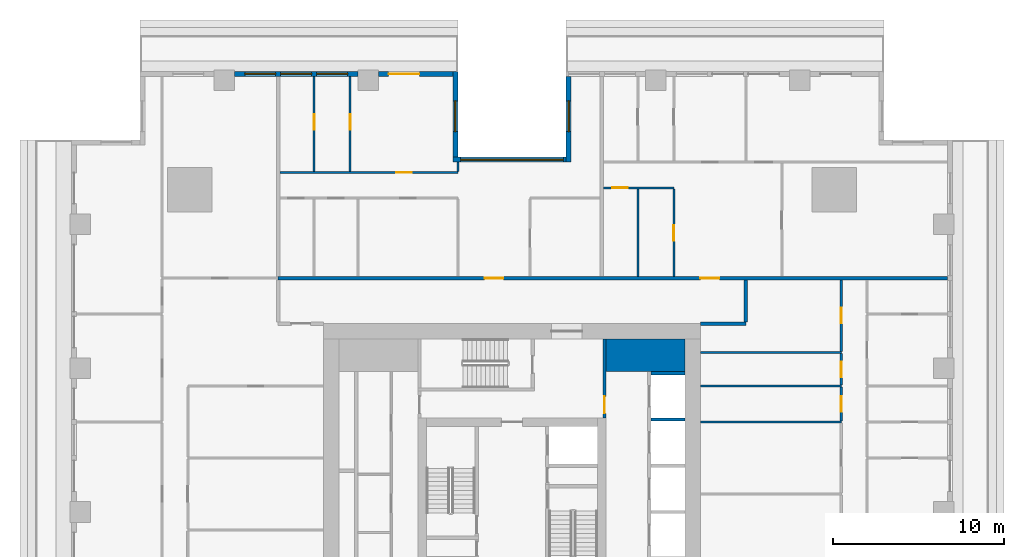
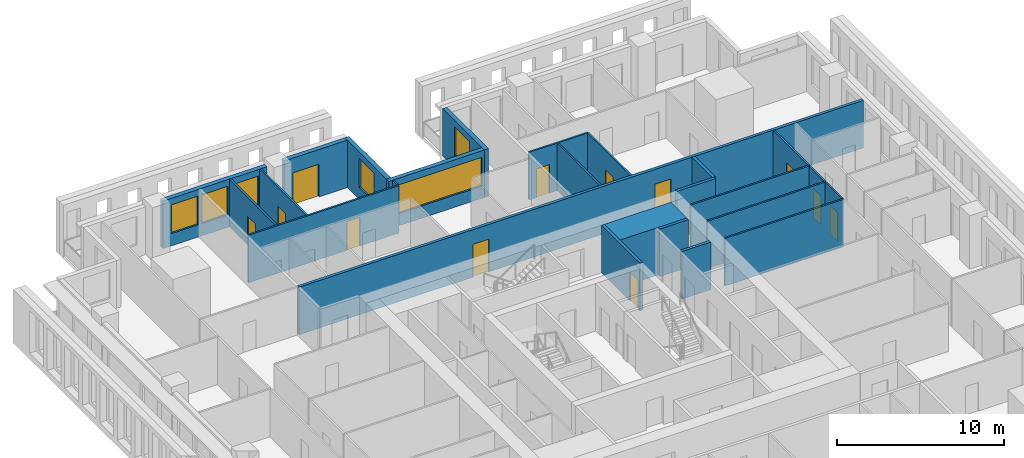
# One storey, part 8 of 16: 25 walls, 12 doors, 6 windows, 18 openings.
"""IFC4 building model written with IfcOpenShell, lengths in metres."""

from ifc_helpers import new_model, si_unit, direction, frame, frame_2d, origin, place, context, subcontext, project, spatial, rectangle, extrude, material, layer, layer_set, type_object, element, fill, save


model = new_model("IFC4")

# Units and contexts
model_context = context("Model", 3, precision=1e-05, world=origin(), true_north=direction((0.0, 1.0)))
body_context = subcontext(model_context, "Body", "Model", "MODEL_VIEW")
ifc_project = project(units=[si_unit("LENGTHUNIT", "METRE"), si_unit("AREAUNIT", "SQUARE_METRE"), si_unit("VOLUMEUNIT", "CUBIC_METRE"), si_unit("PLANEANGLEUNIT", "RADIAN"), si_unit("MASSUNIT", "GRAM", prefix="KILO")], contexts=[model_context])

# Site, building, storey
site_placement = place(None, origin())
site = spatial("IfcSite", under=ifc_project, at=site_placement, CompositionType="ELEMENT")
building_placement = place(site_placement, origin())
building = spatial("IfcBuilding", under=site, at=building_placement, Name="Khepri Terraces", CompositionType="ELEMENT")
storey_placement = place(building_placement, frame((0.0, 0.0, 137.699951171875)))
storey = spatial("IfcBuildingStorey", under=building, at=storey_placement, Name="L32", CompositionType="ELEMENT", Elevation=137.699951171875)

# Walls
ifc_material_1 = material(Name="Concrete C60/75", Category="concrete")
ifc_layer_1 = layer(ifc_material_1, 1.89990234375, Name="Concrete C60/75", Category="concrete")
ifc_layer_set_1 = layer_set([ifc_layer_1], Name="Concrete C60/75")
wall_type_1 = type_object("IfcWallType", Name="Core wall 1900 C60/75", PredefinedType="SHEAR", material=ifc_layer_set_1)
wall_1_placement = place(storey_placement, frame((5.5, 9.14990234375, 0.0), z_axis=(0.0, 0.0, 1.0), x_axis=(1.0, 0.0, 0.0)))
element("IfcWall", 1, at=wall_1_placement, inside=storey, type_object=wall_type_1, Name="Core wall PR04 L32", PredefinedType="SHEAR", context=body_context, shape_type="SweptSolid", body=[
    extrude(rectangle(XDim=4.60009765625, YDim=1.89990234375, at=frame_2d((2.300048828125, 0.0))), origin(), (0.0, 0.0, 1.0), 3.47998046875),
])
ifc_layer_2 = layer(ifc_material_1, 0.199951171875, Name="Concrete C60/75", Category="concrete")
ifc_layer_set_2 = layer_set([ifc_layer_2], Name="Concrete C60/75")
wall_type_2 = type_object("IfcWallType", Name="Core wall 200 C60/75", PredefinedType="SHEAR", material=ifc_layer_set_2)
for number, where, z_axis, x_axis, name in (
    (2, (8.10009765625, 5.39990234375, 0.0), (0.0, 0.0, 1.0), (1.0, 0.0, 0.0), "Core wall SH14 L32"),
    (3, (8.10009765625, 8.10009765625, 0.0), (0.0, 0.0, 1.0), (1.0, 0.0, 0.0), "Core wall SH15 L32"),
):
    element("IfcWall", number, at=place(storey_placement, frame(where, z_axis=z_axis, x_axis=x_axis)), inside=storey, type_object=wall_type_2, Name=name, PredefinedType="SHEAR", context=body_context, shape_type="SweptSolid", body=[
        extrude(rectangle(XDim=2.0, YDim=0.199951171875, at=frame_2d((1.0, 0.0))), origin(), (0.0, 0.0, 1.0), 3.47998046875),
    ])

# Wall, opening, door
ifc_material_2 = material(Name="Fire-rated gypsum board partition")
ifc_layer_3 = layer(ifc_material_2, 0.199951171875, Name="Fire-rated gypsum board partition")
ifc_layer_set_3 = layer_set([ifc_layer_3], Name="Fire-rated gypsum board partition")
wall_type_3 = type_object("IfcWallType", Name="WL-CORE-PART-200", PredefinedType="PARTITIONING", material=ifc_layer_set_3)
wall_2_placement = place(storey_placement, frame((5.39990234375, 5.5, 0.0), z_axis=(0.0, 0.0, 1.0), x_axis=(0.0, 1.0, 0.0)))
wall_2 = element("IfcWall", 4, at=wall_2_placement, inside=storey, type_object=wall_type_3, Name="Core partition PT10 L32", PredefinedType="PARTITIONING", context=body_context, shape_type="SweptSolid", body=[
    extrude(rectangle(XDim=4.60009765625, YDim=0.199951171875, at=frame_2d((2.300048828125, 0.0))), origin(), (0.0, 0.0, 1.0), 3.47998046875),
])
opening_1_placement = place(wall_2_placement, frame((0.25, 0.0, 0.0)))
opening_1 = element("IfcOpeningElement", 5, at=opening_1_placement, cuts=wall_2, Name="Opening L32-C17", PredefinedType="OPENING", context=body_context, shape_type="SweptSolid", body=[
    extrude(rectangle(XDim=1.0, YDim=2.10009765625, at=frame_2d((0.5, 1.050048828125))), frame((0.0, 0.10986328125, 0.0), z_axis=(0.0, -1.0, 0.0), x_axis=(1.0, 0.0, 0.0)), (0.0, 0.0, 1.0), 0.219970703125),
])
ifc_material_3 = material(Name="Painted steel", Category="steel")
door_type_1 = type_object("IfcDoorType", Name="DR-CORE-LOBBY-1000", OperationType="NOTDEFINED", PredefinedType="DOOR", material=ifc_material_3)
door_1_placement = place(opening_1_placement, origin())
door_1 = element("IfcDoor", 6, at=door_1_placement, inside=storey, type_object=door_type_1, Name="Lobby door L32-C17", OperationType="SINGLE_SWING_LEFT", OverallHeight=2.10009765625, OverallWidth=1.0, PredefinedType="DOOR", context=body_context, shape_type="SweptSolid", body=[
    extrude(rectangle(XDim=1.0, YDim=2.10009765625, at=frame_2d((0.5, 1.050048828125))), frame((0.0, 0.02490234375, 0.0), z_axis=(0.0, -1.0, 0.0), x_axis=(1.0, 0.0, 0.0)), (0.0, 0.0, 1.0), 0.050048828125),
])
fill(opening_1, door_1)

# Walls
ifc_material_4 = material(Name="Fire-rated gypsum plasterboard partition, mineral wool")
ifc_layer_4 = layer(ifc_material_4, 0.199951171875, Name="Fire-rated gypsum plasterboard partition, mineral wool")
ifc_layer_set_4 = layer_set([ifc_layer_4], Name="Fire-rated gypsum plasterboard partition, mineral wool")
wall_type_4 = type_object("IfcWallType", Name="WL-CORR-200", PredefinedType="PARTITIONING", material=ifc_layer_set_4)
wall_3_placement = place(storey_placement, frame((11.0, 11.0, 0.0), z_axis=(0.0, 0.0, 1.0), x_axis=(1.0, 0.0, 0.0)))
element("IfcWall", 7, at=wall_3_placement, inside=storey, type_object=wall_type_4, Name="Partition P-078 L32", PredefinedType="PARTITIONING", context=body_context, shape_type="SweptSolid", body=[
    extrude(rectangle(XDim=2.64990234375, YDim=0.199951171875, at=frame_2d((1.324951171875, 0.0))), origin(), (0.0, 0.0, 1.0), 3.47998046875),
])
wall_4_placement = place(storey_placement, frame((13.64990234375, 11.10009765625, 0.0), z_axis=(0.0, 0.0, 1.0), x_axis=(0.0, 1.0, 0.0)))
element("IfcWall", 8, at=wall_4_placement, inside=storey, type_object=wall_type_4, Name="Partition P-080 L32", PredefinedType="PARTITIONING", context=body_context, shape_type="SweptSolid", body=[
    extrude(rectangle(XDim=2.449951171875, YDim=0.199951171875, at=frame_2d((1.22509765625, 0.0))), origin(), (0.0, 0.0, 1.0), 3.47998046875),
])

# Wall, openings, doors
wall_5_placement = place(storey_placement, frame((-13.64990234375, 13.64990234375, 0.0), z_axis=(0.0, 0.0, 1.0), x_axis=(1.0, 0.0, 0.0)))
wall_5 = element("IfcWall", 9, at=wall_5_placement, inside=storey, type_object=wall_type_4, Name="Partition P-086 L32", PredefinedType="PARTITIONING", context=body_context, shape_type="SweptSolid", body=[
    extrude(rectangle(XDim=39.06982421875, YDim=0.199951171875, at=frame_2d((19.534912109375, 0.0))), origin(), (0.0, 0.0, 1.0), 3.47998046875),
])
opening_2_placement = place(wall_5_placement, frame((24.64990234375, 0.0, 0.0)))
opening_2 = element("IfcOpeningElement", 10, at=opening_2_placement, cuts=wall_5, Name="Opening D1", PredefinedType="OPENING", context=body_context, shape_type="SweptSolid", body=[
    extrude(rectangle(XDim=1.10009765625, YDim=2.39990234375, at=frame_2d((0.550048828125, 1.199951171875))), frame((0.0, 0.10986328125, 0.0), z_axis=(0.0, -1.0, 0.0), x_axis=(1.0, 0.0, 0.0)), (0.0, 0.0, 1.0), 0.219970703125),
])
opening_3_placement = place(wall_5_placement, frame((12.050048828125, 0.0, 0.0)))
opening_3 = element("IfcOpeningElement", 11, at=opening_3_placement, cuts=wall_5, Name="Opening D1", PredefinedType="OPENING", context=body_context, shape_type="SweptSolid", body=[
    extrude(rectangle(XDim=1.10009765625, YDim=2.39990234375, at=frame_2d((0.550048828125, 1.199951171875))), frame((0.0, 0.10986328125, 0.0), z_axis=(0.0, -1.0, 0.0), x_axis=(1.0, 0.0, 0.0)), (0.0, 0.0, 1.0), 0.219970703125),
])
ifc_material_5 = material(Name="Solid-core timber door leaf, flat entrance door", Category="wood")
door_type_2 = type_object("IfcDoorType", Name="DR-ENT-1100", OperationType="NOTDEFINED", PredefinedType="DOOR", material=ifc_material_5)
door_2_placement = place(opening_2_placement, origin())
door_2 = element("IfcDoor", 12, at=door_2_placement, inside=storey, type_object=door_type_2, Name="Flat C1 entrance door", OperationType="SINGLE_SWING_RIGHT", OverallHeight=2.39990234375, OverallWidth=1.10009765625, PredefinedType="DOOR", context=body_context, shape_type="SweptSolid", body=[
    extrude(rectangle(XDim=1.10009765625, YDim=2.39990234375, at=frame_2d((0.550048828125, 1.199951171875))), frame((0.0, 0.02490234375, 0.0), z_axis=(0.0, -1.0, 0.0), x_axis=(1.0, 0.0, 0.0)), (0.0, 0.0, 1.0), 0.050048828125),
])
fill(opening_2, door_2)
door_3_placement = place(opening_3_placement, origin())
door_3 = element("IfcDoor", 13, at=door_3_placement, inside=storey, type_object=door_type_2, Name="Flat C2 entrance door", OperationType="SINGLE_SWING_LEFT", OverallHeight=2.39990234375, OverallWidth=1.10009765625, PredefinedType="DOOR", context=body_context, shape_type="SweptSolid", body=[
    extrude(rectangle(XDim=1.10009765625, YDim=2.39990234375, at=frame_2d((0.550048828125, 1.199951171875))), frame((0.0, 0.02490234375, 0.0), z_axis=(0.0, -1.0, 0.0), x_axis=(1.0, 0.0, 0.0)), (0.0, 0.0, 1.0), 0.050048828125),
])
fill(opening_3, door_3)

# Wall, opening, window
ifc_material_6 = material(Name="Precast concrete C50/60 warm stone", Category="masonry")
ifc_layer_5 = layer(ifc_material_6, 0.300048828125, Name="Precast concrete C50/60 warm stone", Category="masonry")
ifc_layer_set_5 = layer_set([ifc_layer_5], Name="Precast concrete C50/60 warm stone")
wall_type_5 = type_object("IfcWallType", Name="WL-EXT-PRECAST-300", PredefinedType="STANDARD", material=ifc_layer_set_5)
wall_6_placement = place(storey_placement, frame((3.300048828125, 25.419921875, 0.0), z_axis=(0.0, 0.0, 1.0), x_axis=(0.0, -1.0, 0.0)))
wall_6 = element("IfcWall", 14, at=wall_6_placement, inside=storey, type_object=wall_type_5, Name="External wall L32 W", PredefinedType="STANDARD", context=body_context, shape_type="SweptSolid", body=[
    extrude(rectangle(XDim=5.0, YDim=0.300048828125, at=frame_2d((2.5, 0.0))), origin(), (0.0, 0.0, 1.0), 3.47998046875),
])
opening_4_placement = place(wall_6_placement, frame((1.419921875, 0.0, 0.89990234375)))
opening_4 = element("IfcOpeningElement", 15, at=opening_4_placement, cuts=wall_6, Name="Opening W1", PredefinedType="OPENING", context=body_context, shape_type="SweptSolid", body=[
    extrude(rectangle(XDim=1.800048828125, YDim=2.10009765625, at=frame_2d((0.89990234375, 1.050048828125))), frame((0.0, 0.16015625, 0.0), z_axis=(0.0, -1.0, 0.0), x_axis=(1.0, 0.0, 0.0)), (0.0, 0.0, 1.0), 0.320068359375),
])
ifc_material_7 = material(Name="Clear glass", Category="glass")
window_type_1 = type_object("IfcWindowType", Name="WIN-RES-1800x2100", PartitioningType="SINGLE_PANEL", PredefinedType="WINDOW", material=ifc_material_7)
window_1_placement = place(opening_4_placement, origin())
window_1 = element("IfcWindow", 16, at=window_1_placement, inside=storey, type_object=window_type_1, Name="Window L32 W", OverallHeight=2.10009765625, OverallWidth=1.800048828125, PartitioningType="SINGLE_PANEL", PredefinedType="WINDOW", context=body_context, shape_type="SweptSolid", body=[
    extrude(rectangle(XDim=1.800048828125, YDim=2.10009765625, at=frame_2d((0.89990234375, 1.050048828125))), frame((0.0, 0.030029296875, 0.0), z_axis=(0.0, -1.0, 0.0), x_axis=(1.0, 0.0, 0.0)), (0.0, 0.0, 1.0), 0.06005859375),
])
fill(opening_4, window_1)

wall_7_placement = place(storey_placement, frame((3.14990234375, 20.570068359375, 0.0), z_axis=(0.0, 0.0, 1.0), x_axis=(-1.0, 0.0, 0.0)))
wall_7 = element("IfcWall", 17, at=wall_7_placement, inside=storey, type_object=wall_type_5, Name="External wall L32 N", PredefinedType="STANDARD", context=body_context, shape_type="SweptSolid", body=[
    extrude(rectangle(XDim=6.599853515625, YDim=0.300048828125, at=frame_2d((3.2998046875, 0.0))), origin(), (0.0, 0.0, 1.0), 3.47998046875),
])
opening_5_placement = place(wall_7_placement, frame((0.14990234375, 0.0, 0.89990234375)))
opening_5 = element("IfcOpeningElement", 18, at=opening_5_placement, cuts=wall_7, Name="Opening W3", PredefinedType="OPENING", context=body_context, shape_type="SweptSolid", body=[
    extrude(rectangle(XDim=6.0, YDim=2.10009765625, at=frame_2d((3.0, 1.050048828125))), frame((0.0, 0.16015625, 0.0), z_axis=(0.0, -1.0, 0.0), x_axis=(1.0, 0.0, 0.0)), (0.0, 0.0, 1.0), 0.320068359375),
])
window_type_2 = type_object("IfcWindowType", Name="WIN-RES-6000x2100", PartitioningType="SINGLE_PANEL", PredefinedType="WINDOW", material=ifc_material_7)
window_2_placement = place(opening_5_placement, origin())
window_2 = element("IfcWindow", 19, at=window_2_placement, inside=storey, type_object=window_type_2, Name="Window L32 N", OverallHeight=2.10009765625, OverallWidth=6.0, PartitioningType="SINGLE_PANEL", PredefinedType="WINDOW", context=body_context, shape_type="SweptSolid", body=[
    extrude(rectangle(XDim=6.0, YDim=2.10009765625, at=frame_2d((3.0, 1.050048828125))), frame((0.0, 0.030029296875, 0.0), z_axis=(0.0, -1.0, 0.0), x_axis=(1.0, 0.0, 0.0)), (0.0, 0.0, 1.0), 0.06005859375),
])
fill(opening_5, window_2)

wall_8_placement = place(storey_placement, frame((-3.300048828125, 20.719970703125, 0.0), z_axis=(0.0, 0.0, 1.0), x_axis=(0.0, 1.0, 0.0)))
wall_8 = element("IfcWall", 20, at=wall_8_placement, inside=storey, type_object=wall_type_5, Name="External wall L32 E", PredefinedType="STANDARD", context=body_context, shape_type="SweptSolid", body=[
    extrude(rectangle(XDim=5.0, YDim=0.300048828125, at=frame_2d((2.5, 0.0))), origin(), (0.0, 0.0, 1.0), 3.47998046875),
])
opening_6_placement = place(wall_8_placement, frame((1.47998046875, 0.0, 0.89990234375)))
opening_6 = element("IfcOpeningElement", 21, at=opening_6_placement, cuts=wall_8, Name="Opening W1", PredefinedType="OPENING", context=body_context, shape_type="SweptSolid", body=[
    extrude(rectangle(XDim=1.800048828125, YDim=2.10009765625, at=frame_2d((0.89990234375, 1.050048828125))), frame((0.0, 0.16015625, 0.0), z_axis=(0.0, -1.0, 0.0), x_axis=(1.0, 0.0, 0.0)), (0.0, 0.0, 1.0), 0.320068359375),
])
window_3_placement = place(opening_6_placement, origin())
window_3 = element("IfcWindow", 22, at=window_3_placement, inside=storey, type_object=window_type_1, Name="Window L32 E", OverallHeight=2.10009765625, OverallWidth=1.800048828125, PartitioningType="SINGLE_PANEL", PredefinedType="WINDOW", context=body_context, shape_type="SweptSolid", body=[
    extrude(rectangle(XDim=1.800048828125, YDim=2.10009765625, at=frame_2d((0.89990234375, 1.050048828125))), frame((0.0, 0.030029296875, 0.0), z_axis=(0.0, -1.0, 0.0), x_axis=(1.0, 0.0, 0.0)), (0.0, 0.0, 1.0), 0.06005859375),
])
fill(opening_6, window_3)

# Wall, opening, door
wall_9_placement = place(storey_placement, frame((-3.449951171875, 25.570068359375, 0.0), z_axis=(0.0, 0.0, 1.0), x_axis=(-1.0, 0.0, 0.0)))
wall_9 = element("IfcWall", 23, at=wall_9_placement, inside=storey, type_object=wall_type_5, Name="External wall L32 N", PredefinedType="STANDARD", context=body_context, shape_type="SweptSolid", body=[
    extrude(rectangle(XDim=4.35009765625, YDim=0.300048828125, at=frame_2d((2.175048828125, 0.0))), origin(), (0.0, 0.0, 1.0), 3.47998046875),
])
opening_7_placement = place(wall_9_placement, frame((1.949951171875, 0.0, 0.0)))
opening_7 = element("IfcOpeningElement", 24, at=opening_7_placement, cuts=wall_9, Name="Opening ED-L32-10", PredefinedType="OPENING", context=body_context, shape_type="SweptSolid", body=[
    extrude(rectangle(XDim=1.800048828125, YDim=2.39990234375, at=frame_2d((0.89990234375, 1.199951171875))), frame((0.0, 0.16015625, 0.0), z_axis=(0.0, -1.0, 0.0), x_axis=(1.0, 0.0, 0.0)), (0.0, 0.0, 1.0), 0.320068359375),
])
ifc_material_8 = material(Name="Anodised aluminium bronze glazed door", Category="aluminium")
door_type_3 = type_object("IfcDoorType", Name="DR-BAL-SLIDE-1800x2400", OperationType="NOTDEFINED", PredefinedType="DOOR", material=ifc_material_8)
door_4_placement = place(opening_7_placement, origin())
door_4 = element("IfcDoor", 25, at=door_4_placement, inside=storey, type_object=door_type_3, Name="Balcony door L32 N", OperationType="SLIDING_TO_RIGHT", OverallHeight=2.39990234375, OverallWidth=1.800048828125, PredefinedType="DOOR", context=body_context, shape_type="SweptSolid", body=[
    extrude(rectangle(XDim=1.800048828125, YDim=2.39990234375, at=frame_2d((0.89990234375, 1.199951171875))), frame((0.0, 0.02490234375, 0.0), z_axis=(0.0, -1.0, 0.0), x_axis=(1.0, 0.0, 0.0)), (0.0, 0.0, 1.0), 0.050048828125),
])
fill(opening_7, door_4)

# Wall, openings, windows
wall_10_placement = place(storey_placement, frame((-9.0, 25.570068359375, 0.0), z_axis=(0.0, 0.0, 1.0), x_axis=(-1.0, 0.0, 0.0)))
wall_10 = element("IfcWall", 26, at=wall_10_placement, inside=storey, type_object=wall_type_5, Name="External wall L32 N", PredefinedType="STANDARD", context=body_context, shape_type="SweptSolid", body=[
    extrude(rectangle(XDim=7.199951171875, YDim=0.300048828125, at=frame_2d((3.60009765625, 0.0))), origin(), (0.0, 0.0, 1.0), 3.47998046875),
])
opening_8_placement = place(wall_10_placement, frame((0.60009765625, 0.0, 0.89990234375)))
opening_8 = element("IfcOpeningElement", 27, at=opening_8_placement, cuts=wall_10, Name="Opening W1", PredefinedType="OPENING", context=body_context, shape_type="SweptSolid", body=[
    extrude(rectangle(XDim=1.800048828125, YDim=2.10009765625, at=frame_2d((0.89990234375, 1.050048828125))), frame((0.0, 0.16015625, 0.0), z_axis=(0.0, -1.0, 0.0), x_axis=(1.0, 0.0, 0.0)), (0.0, 0.0, 1.0), 0.320068359375),
])
opening_9_placement = place(wall_10_placement, frame((2.699951171875, 0.0, 0.89990234375)))
opening_9 = element("IfcOpeningElement", 28, at=opening_9_placement, cuts=wall_10, Name="Opening W1", PredefinedType="OPENING", context=body_context, shape_type="SweptSolid", body=[
    extrude(rectangle(XDim=1.800048828125, YDim=2.10009765625, at=frame_2d((0.89990234375, 1.050048828125))), frame((0.0, 0.16015625, 0.0), z_axis=(0.0, -1.0, 0.0), x_axis=(1.0, 0.0, 0.0)), (0.0, 0.0, 1.0), 0.320068359375),
])
opening_10_placement = place(wall_10_placement, frame((4.800048828125, 0.0, 0.89990234375)))
opening_10 = element("IfcOpeningElement", 29, at=opening_10_placement, cuts=wall_10, Name="Opening W1", PredefinedType="OPENING", context=body_context, shape_type="SweptSolid", body=[
    extrude(rectangle(XDim=1.800048828125, YDim=2.10009765625, at=frame_2d((0.89990234375, 1.050048828125))), frame((0.0, 0.16015625, 0.0), z_axis=(0.0, -1.0, 0.0), x_axis=(1.0, 0.0, 0.0)), (0.0, 0.0, 1.0), 0.320068359375),
])
window_4_placement = place(opening_8_placement, origin())
window_4 = element("IfcWindow", 30, at=window_4_placement, inside=storey, type_object=window_type_1, Name="Window L32 N", OverallHeight=2.10009765625, OverallWidth=1.800048828125, PartitioningType="SINGLE_PANEL", PredefinedType="WINDOW", context=body_context, shape_type="SweptSolid", body=[
    extrude(rectangle(XDim=1.800048828125, YDim=2.10009765625, at=frame_2d((0.89990234375, 1.050048828125))), frame((0.0, 0.030029296875, 0.0), z_axis=(0.0, -1.0, 0.0), x_axis=(1.0, 0.0, 0.0)), (0.0, 0.0, 1.0), 0.06005859375),
])
fill(opening_8, window_4)
window_5_placement = place(opening_9_placement, origin())
window_5 = element("IfcWindow", 31, at=window_5_placement, inside=storey, type_object=window_type_1, Name="Window L32 N", OverallHeight=2.10009765625, OverallWidth=1.800048828125, PartitioningType="SINGLE_PANEL", PredefinedType="WINDOW", context=body_context, shape_type="SweptSolid", body=[
    extrude(rectangle(XDim=1.800048828125, YDim=2.10009765625, at=frame_2d((0.89990234375, 1.050048828125))), frame((0.0, 0.030029296875, 0.0), z_axis=(0.0, -1.0, 0.0), x_axis=(1.0, 0.0, 0.0)), (0.0, 0.0, 1.0), 0.06005859375),
])
fill(opening_9, window_5)
window_6_placement = place(opening_10_placement, origin())
window_6 = element("IfcWindow", 32, at=window_6_placement, inside=storey, type_object=window_type_1, Name="Window L32 N", OverallHeight=2.10009765625, OverallWidth=1.800048828125, PartitioningType="SINGLE_PANEL", PredefinedType="WINDOW", context=body_context, shape_type="SweptSolid", body=[
    extrude(rectangle(XDim=1.800048828125, YDim=2.10009765625, at=frame_2d((0.89990234375, 1.050048828125))), frame((0.0, 0.030029296875, 0.0), z_axis=(0.0, -1.0, 0.0), x_axis=(1.0, 0.0, 0.0)), (0.0, 0.0, 1.0), 0.06005859375),
])
fill(opening_10, window_6)

# Wall
ifc_material_9 = material(Name="Gypsum plasterboard partition")
ifc_layer_6 = layer(ifc_material_9, 0.1201171875, Name="Gypsum plasterboard partition")
ifc_layer_set_6 = layer_set([ifc_layer_6], Name="Gypsum plasterboard partition")
wall_type_6 = type_object("IfcWallType", Name="WL-PART-120", PredefinedType="PARTITIONING", material=ifc_layer_set_6)
wall_11_placement = place(storey_placement, frame((11.0, 5.25, 0.0), z_axis=(0.0, 0.0, 1.0), x_axis=(1.0, 0.0, 0.0)))
element("IfcWall", 33, at=wall_11_placement, inside=storey, type_object=wall_type_6, Name="Partition P-065 L32", PredefinedType="PARTITIONING", context=body_context, shape_type="SweptSolid", body=[
    extrude(rectangle(XDim=8.219970703125, YDim=0.1201171875, at=frame_2d((4.10986328125, 0.0))), origin(), (0.0, 0.0, 1.0), 3.47998046875),
])

# Wall, opening, door
wall_12_placement = place(storey_placement, frame((19.219970703125, 5.31005859375, 0.0), z_axis=(0.0, 0.0, 1.0), x_axis=(0.0, 1.0, 0.0)))
wall_12 = element("IfcWall", 34, at=wall_12_placement, inside=storey, type_object=wall_type_6, Name="Partition P-068 L32", PredefinedType="PARTITIONING", context=body_context, shape_type="SweptSolid", body=[
    extrude(rectangle(XDim=1.97998046875, YDim=0.1201171875, at=frame_2d((0.989990234375, 0.0))), origin(), (0.0, 0.0, 1.0), 3.47998046875),
])
opening_11_placement = place(wall_12_placement, frame((0.5400390625, 0.0, 0.0)))
opening_11 = element("IfcOpeningElement", 35, at=opening_11_placement, cuts=wall_12, Name="Opening D4", PredefinedType="OPENING", context=body_context, shape_type="SweptSolid", body=[
    extrude(rectangle(XDim=0.89990234375, YDim=2.10009765625, at=frame_2d((0.449951171875, 1.050048828125))), frame((0.0, 0.070068359375, 0.0), z_axis=(0.0, -1.0, 0.0), x_axis=(1.0, 0.0, 0.0)), (0.0, 0.0, 1.0), 0.14013671875),
])
ifc_material_10 = material(Name="Timber door leaf, moisture resistant", Category="wood")
door_type_4 = type_object("IfcDoorType", Name="DR-WET-900", OperationType="NOTDEFINED", PredefinedType="DOOR", material=ifc_material_10)
door_5_placement = place(opening_11_placement, origin())
door_5 = element("IfcDoor", 36, at=door_5_placement, inside=storey, type_object=door_type_4, Name="Door Powder Room", OperationType="SINGLE_SWING_RIGHT", OverallHeight=2.10009765625, OverallWidth=0.89990234375, PredefinedType="DOOR", context=body_context, shape_type="SweptSolid", body=[
    extrude(rectangle(XDim=0.89990234375, YDim=2.10009765625, at=frame_2d((0.449951171875, 1.050048828125))), frame((0.0, 0.02490234375, 0.0), z_axis=(0.0, -1.0, 0.0), x_axis=(1.0, 0.0, 0.0)), (0.0, 0.0, 1.0), 0.050048828125),
])
fill(opening_11, door_5)

# Wall
wall_13_placement = place(storey_placement, frame((11.0, 7.35009765625, 0.0), z_axis=(0.0, 0.0, 1.0), x_axis=(1.0, 0.0, 0.0)))
element("IfcWall", 37, at=wall_13_placement, inside=storey, type_object=wall_type_6, Name="Partition P-071 L32", PredefinedType="PARTITIONING", context=body_context, shape_type="SweptSolid", body=[
    extrude(rectangle(XDim=8.219970703125, YDim=0.1201171875, at=frame_2d((4.10986328125, 0.0))), origin(), (0.0, 0.0, 1.0), 3.47998046875),
])

# Wall, opening, door
wall_14_placement = place(storey_placement, frame((19.219970703125, 7.409912109375, 0.0), z_axis=(0.0, 0.0, 1.0), x_axis=(0.0, 1.0, 0.0)))
wall_14 = element("IfcWall", 38, at=wall_14_placement, inside=storey, type_object=wall_type_6, Name="Partition P-073 L32", PredefinedType="PARTITIONING", context=body_context, shape_type="SweptSolid", body=[
    extrude(rectangle(XDim=1.830078125, YDim=0.1201171875, at=frame_2d((0.9150390625, 0.0))), origin(), (0.0, 0.0, 1.0), 3.47998046875),
])
opening_12_placement = place(wall_14_placement, frame((0.465087890625, 0.0, 0.0)))
opening_12 = element("IfcOpeningElement", 39, at=opening_12_placement, cuts=wall_14, Name="Opening D4", PredefinedType="OPENING", context=body_context, shape_type="SweptSolid", body=[
    extrude(rectangle(XDim=0.89990234375, YDim=2.10009765625, at=frame_2d((0.449951171875, 1.050048828125))), frame((0.0, 0.070068359375, 0.0), z_axis=(0.0, -1.0, 0.0), x_axis=(1.0, 0.0, 0.0)), (0.0, 0.0, 1.0), 0.14013671875),
])
door_6_placement = place(opening_12_placement, origin())
door_6 = element("IfcDoor", 40, at=door_6_placement, inside=storey, type_object=door_type_4, Name="Door Guest Bathroom", OperationType="SINGLE_SWING_LEFT", OverallHeight=2.10009765625, OverallWidth=0.89990234375, PredefinedType="DOOR", context=body_context, shape_type="SweptSolid", body=[
    extrude(rectangle(XDim=0.89990234375, YDim=2.10009765625, at=frame_2d((0.449951171875, 1.050048828125))), frame((0.0, 0.02490234375, 0.0), z_axis=(0.0, -1.0, 0.0), x_axis=(1.0, 0.0, 0.0)), (0.0, 0.0, 1.0), 0.050048828125),
])
fill(opening_12, door_6)

# Wall
wall_15_placement = place(storey_placement, frame((11.0, 9.300048828125, 0.0), z_axis=(0.0, 0.0, 1.0), x_axis=(1.0, 0.0, 0.0)))
element("IfcWall", 41, at=wall_15_placement, inside=storey, type_object=wall_type_6, Name="Partition P-075 L32", PredefinedType="PARTITIONING", context=body_context, shape_type="SweptSolid", body=[
    extrude(rectangle(XDim=8.219970703125, YDim=0.1201171875, at=frame_2d((4.10986328125, 0.0))), origin(), (0.0, 0.0, 1.0), 3.47998046875),
])

# Wall, opening, door
wall_16_placement = place(storey_placement, frame((19.219970703125, 9.360107421875, 0.0), z_axis=(0.0, 0.0, 1.0), x_axis=(0.0, 1.0, 0.0)))
wall_16 = element("IfcWall", 42, at=wall_16_placement, inside=storey, type_object=wall_type_6, Name="Partition P-076 L32", PredefinedType="PARTITIONING", context=body_context, shape_type="SweptSolid", body=[
    extrude(rectangle(XDim=4.18994140625, YDim=0.1201171875, at=frame_2d((2.094970703125, 0.0))), origin(), (0.0, 0.0, 1.0), 3.47998046875),
])
opening_13_placement = place(wall_16_placement, frame((1.6650390625, 0.0, 0.0)))
opening_13 = element("IfcOpeningElement", 43, at=opening_13_placement, cuts=wall_16, Name="Opening D3", PredefinedType="OPENING", context=body_context, shape_type="SweptSolid", body=[
    extrude(rectangle(XDim=0.89990234375, YDim=2.10009765625, at=frame_2d((0.449951171875, 1.050048828125))), frame((0.0, 0.070068359375, 0.0), z_axis=(0.0, -1.0, 0.0), x_axis=(1.0, 0.0, 0.0)), (0.0, 0.0, 1.0), 0.14013671875),
])
ifc_material_11 = material(Name="Timber door leaf", Category="wood")
door_type_5 = type_object("IfcDoorType", Name="DR-INT-900", OperationType="NOTDEFINED", PredefinedType="DOOR", material=ifc_material_11)
door_7_placement = place(opening_13_placement, origin())
door_7 = element("IfcDoor", 44, at=door_7_placement, inside=storey, type_object=door_type_5, Name="Door Library", OperationType="SINGLE_SWING_RIGHT", OverallHeight=2.10009765625, OverallWidth=0.89990234375, PredefinedType="DOOR", context=body_context, shape_type="SweptSolid", body=[
    extrude(rectangle(XDim=0.89990234375, YDim=2.10009765625, at=frame_2d((0.449951171875, 1.050048828125))), frame((0.0, 0.02490234375, 0.0), z_axis=(0.0, -1.0, 0.0), x_axis=(1.0, 0.0, 0.0)), (0.0, 0.0, 1.0), 0.050048828125),
])
fill(opening_13, door_7)

# Wall
wall_17_placement = place(storey_placement, frame((7.35009765625, 13.75, 0.0), z_axis=(0.0, 0.0, 1.0), x_axis=(0.0, 1.0, 0.0)))
element("IfcWall", 45, at=wall_17_placement, inside=storey, type_object=wall_type_6, Name="Partition P-094 L32", PredefinedType="PARTITIONING", context=body_context, shape_type="SweptSolid", body=[
    extrude(rectangle(XDim=5.110107421875, YDim=0.1201171875, at=frame_2d((2.55517578125, 0.0))), origin(), (0.0, 0.0, 1.0), 3.47998046875),
])

# Wall, opening, door
wall_18_placement = place(storey_placement, frame((9.449951171875, 13.75, 0.0), z_axis=(0.0, 0.0, 1.0), x_axis=(0.0, 1.0, 0.0)))
wall_18 = element("IfcWall", 46, at=wall_18_placement, inside=storey, type_object=wall_type_6, Name="Partition P-095 L32", PredefinedType="PARTITIONING", context=body_context, shape_type="SweptSolid", body=[
    extrude(rectangle(XDim=5.110107421875, YDim=0.1201171875, at=frame_2d((2.55517578125, 0.0))), origin(), (0.0, 0.0, 1.0), 3.47998046875),
])
opening_14_placement = place(wall_18_placement, frame((2.0849609375, 0.0, 0.0)))
opening_14 = element("IfcOpeningElement", 47, at=opening_14_placement, cuts=wall_18, Name="Opening D4", PredefinedType="OPENING", context=body_context, shape_type="SweptSolid", body=[
    extrude(rectangle(XDim=0.89990234375, YDim=2.10009765625, at=frame_2d((0.449951171875, 1.050048828125))), frame((0.0, 0.070068359375, 0.0), z_axis=(0.0, -1.0, 0.0), x_axis=(1.0, 0.0, 0.0)), (0.0, 0.0, 1.0), 0.14013671875),
])
door_8_placement = place(opening_14_placement, origin())
door_8 = element("IfcDoor", 48, at=door_8_placement, inside=storey, type_object=door_type_4, Name="Door Guest Bathroom", OperationType="SINGLE_SWING_LEFT", OverallHeight=2.10009765625, OverallWidth=0.89990234375, PredefinedType="DOOR", context=body_context, shape_type="SweptSolid", body=[
    extrude(rectangle(XDim=0.89990234375, YDim=2.10009765625, at=frame_2d((0.449951171875, 1.050048828125))), frame((0.0, 0.02490234375, 0.0), z_axis=(0.0, -1.0, 0.0), x_axis=(1.0, 0.0, 0.0)), (0.0, 0.0, 1.0), 0.050048828125),
])
fill(opening_14, door_8)

wall_19_placement = place(storey_placement, frame((5.35009765625, 18.919921875, 0.0), z_axis=(0.0, 0.0, 1.0), x_axis=(1.0, 0.0, 0.0)))
wall_19 = element("IfcWall", 49, at=wall_19_placement, inside=storey, type_object=wall_type_6, Name="Partition P-099 L32", PredefinedType="PARTITIONING", context=body_context, shape_type="SweptSolid", body=[
    extrude(rectangle(XDim=4.099853515625, YDim=0.1201171875, at=frame_2d((2.0498046875, 0.0))), origin(), (0.0, 0.0, 1.0), 3.47998046875),
])
opening_15_placement = place(wall_19_placement, frame((0.5, 0.0, 0.0)))
opening_15 = element("IfcOpeningElement", 50, at=opening_15_placement, cuts=wall_19, Name="Opening D3", PredefinedType="OPENING", context=body_context, shape_type="SweptSolid", body=[
    extrude(rectangle(XDim=0.89990234375, YDim=2.10009765625, at=frame_2d((0.449951171875, 1.050048828125))), frame((0.0, 0.070068359375, 0.0), z_axis=(0.0, -1.0, 0.0), x_axis=(1.0, 0.0, 0.0)), (0.0, 0.0, 1.0), 0.14013671875),
])
door_9_placement = place(opening_15_placement, frame((0.89990234375, 0.0, 0.0), z_axis=(0.0, 0.0, 1.0), x_axis=(-1.0, 0.0, 0.0)))
door_9 = element("IfcDoor", 51, at=door_9_placement, inside=storey, type_object=door_type_5, Name="Door Kitchen", OperationType="SINGLE_SWING_RIGHT", OverallHeight=2.10009765625, OverallWidth=0.89990234375, PredefinedType="DOOR", context=body_context, shape_type="SweptSolid", body=[
    extrude(rectangle(XDim=0.89990234375, YDim=2.10009765625, at=frame_2d((0.449951171875, 1.050048828125))), frame((0.0, 0.02490234375, 0.0), z_axis=(0.0, -1.0, 0.0), x_axis=(1.0, 0.0, 0.0)), (0.0, 0.0, 1.0), 0.050048828125),
])
fill(opening_15, door_9)

wall_20_placement = place(storey_placement, frame((-13.550048828125, 19.820068359375, 0.0), z_axis=(0.0, 0.0, 1.0), x_axis=(1.0, 0.0, 0.0)))
wall_20 = element("IfcWall", 52, at=wall_20_placement, inside=storey, type_object=wall_type_6, Name="Partition P-100 L32", PredefinedType="PARTITIONING", context=body_context, shape_type="SweptSolid", body=[
    extrude(rectangle(XDim=10.400146484375, YDim=0.1201171875, at=frame_2d((5.2001953125, 0.0))), origin(), (0.0, 0.0, 1.0), 3.47998046875),
])
opening_16_placement = place(wall_20_placement, frame((6.800048828125, 0.0, 0.0)))
opening_16 = element("IfcOpeningElement", 53, at=opening_16_placement, cuts=wall_20, Name="Opening D3", PredefinedType="OPENING", context=body_context, shape_type="SweptSolid", body=[
    extrude(rectangle(XDim=0.89990234375, YDim=2.10009765625, at=frame_2d((0.449951171875, 1.050048828125))), frame((0.0, 0.070068359375, 0.0), z_axis=(0.0, -1.0, 0.0), x_axis=(1.0, 0.0, 0.0)), (0.0, 0.0, 1.0), 0.14013671875),
])
door_10_placement = place(opening_16_placement, origin())
door_10 = element("IfcDoor", 54, at=door_10_placement, inside=storey, type_object=door_type_5, Name="Door Master Bedroom", OperationType="SINGLE_SWING_RIGHT", OverallHeight=2.10009765625, OverallWidth=0.89990234375, PredefinedType="DOOR", context=body_context, shape_type="SweptSolid", body=[
    extrude(rectangle(XDim=0.89990234375, YDim=2.10009765625, at=frame_2d((0.449951171875, 1.050048828125))), frame((0.0, 0.02490234375, 0.0), z_axis=(0.0, -1.0, 0.0), x_axis=(1.0, 0.0, 0.0)), (0.0, 0.0, 1.0), 0.050048828125),
])
fill(opening_16, door_10)

wall_21_placement = place(storey_placement, frame((-11.550048828125, 19.8798828125, 0.0), z_axis=(0.0, 0.0, 1.0), x_axis=(0.0, 1.0, 0.0)))
wall_21 = element("IfcWall", 55, at=wall_21_placement, inside=storey, type_object=wall_type_6, Name="Partition P-101 L32", PredefinedType="PARTITIONING", context=body_context, shape_type="SweptSolid", body=[
    extrude(rectangle(XDim=5.5400390625, YDim=0.1201171875, at=frame_2d((2.77001953125, 0.0))), origin(), (0.0, 0.0, 1.0), 3.47998046875),
])
opening_17_placement = place(wall_21_placement, frame((2.43994140625, 0.0, 0.0)))
opening_17 = element("IfcOpeningElement", 56, at=opening_17_placement, cuts=wall_21, Name="Opening D4", PredefinedType="OPENING", context=body_context, shape_type="SweptSolid", body=[
    extrude(rectangle(XDim=0.89990234375, YDim=2.10009765625, at=frame_2d((0.449951171875, 1.050048828125))), frame((0.0, 0.070068359375, 0.0), z_axis=(0.0, -1.0, 0.0), x_axis=(1.0, 0.0, 0.0)), (0.0, 0.0, 1.0), 0.14013671875),
])
door_11_placement = place(opening_17_placement, origin())
door_11 = element("IfcDoor", 57, at=door_11_placement, inside=storey, type_object=door_type_4, Name="Door Bathroom", OperationType="SINGLE_SWING_RIGHT", OverallHeight=2.10009765625, OverallWidth=0.89990234375, PredefinedType="DOOR", context=body_context, shape_type="SweptSolid", body=[
    extrude(rectangle(XDim=0.89990234375, YDim=2.10009765625, at=frame_2d((0.449951171875, 1.050048828125))), frame((0.0, 0.02490234375, 0.0), z_axis=(0.0, -1.0, 0.0), x_axis=(1.0, 0.0, 0.0)), (0.0, 0.0, 1.0), 0.050048828125),
])
fill(opening_17, door_11)

wall_22_placement = place(storey_placement, frame((-9.449951171875, 19.8798828125, 0.0), z_axis=(0.0, 0.0, 1.0), x_axis=(0.0, 1.0, 0.0)))
wall_22 = element("IfcWall", 58, at=wall_22_placement, inside=storey, type_object=wall_type_6, Name="Partition P-102 L32", PredefinedType="PARTITIONING", context=body_context, shape_type="SweptSolid", body=[
    extrude(rectangle(XDim=5.5400390625, YDim=0.1201171875, at=frame_2d((2.77001953125, 0.0))), origin(), (0.0, 0.0, 1.0), 3.47998046875),
])
opening_18_placement = place(wall_22_placement, frame((2.43994140625, 0.0, 0.0)))
opening_18 = element("IfcOpeningElement", 59, at=opening_18_placement, cuts=wall_22, Name="Opening D3", PredefinedType="OPENING", context=body_context, shape_type="SweptSolid", body=[
    extrude(rectangle(XDim=0.89990234375, YDim=2.10009765625, at=frame_2d((0.449951171875, 1.050048828125))), frame((0.0, 0.070068359375, 0.0), z_axis=(0.0, -1.0, 0.0), x_axis=(1.0, 0.0, 0.0)), (0.0, 0.0, 1.0), 0.14013671875),
])
door_12_placement = place(opening_18_placement, origin())
door_12 = element("IfcDoor", 60, at=door_12_placement, inside=storey, type_object=door_type_5, Name="Door Dressing Room", OperationType="SINGLE_SWING_RIGHT", OverallHeight=2.10009765625, OverallWidth=0.89990234375, PredefinedType="DOOR", context=body_context, shape_type="SweptSolid", body=[
    extrude(rectangle(XDim=0.89990234375, YDim=2.10009765625, at=frame_2d((0.449951171875, 1.050048828125))), frame((0.0, 0.02490234375, 0.0), z_axis=(0.0, -1.0, 0.0), x_axis=(1.0, 0.0, 0.0)), (0.0, 0.0, 1.0), 0.050048828125),
])
fill(opening_18, door_12)

# Wall
wall_23_placement = place(storey_placement, frame((-3.14990234375, 19.8798828125, 0.0), z_axis=(0.0, 0.0, 1.0), x_axis=(0.0, 1.0, 0.0)))
element("IfcWall", 61, at=wall_23_placement, inside=storey, type_object=wall_type_6, Name="Partition P-103 L32", PredefinedType="PARTITIONING", context=body_context, shape_type="SweptSolid", body=[
    extrude(rectangle(XDim=0.5400390625, YDim=0.1201171875, at=frame_2d((0.27001953125, 0.0))), origin(), (0.0, 0.0, 1.0), 3.47998046875),
])

save(model, "model.ifc")
